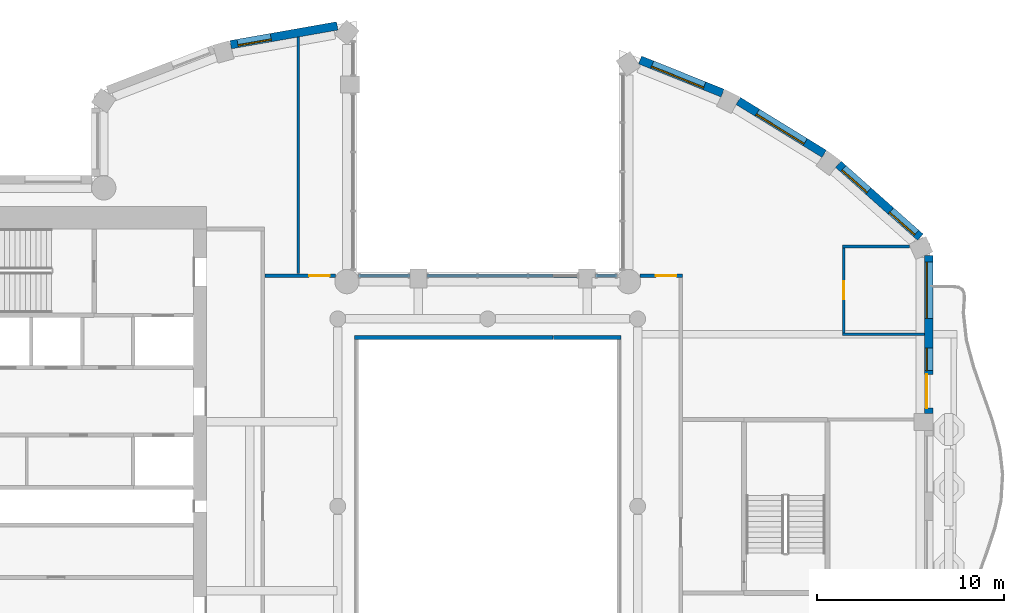
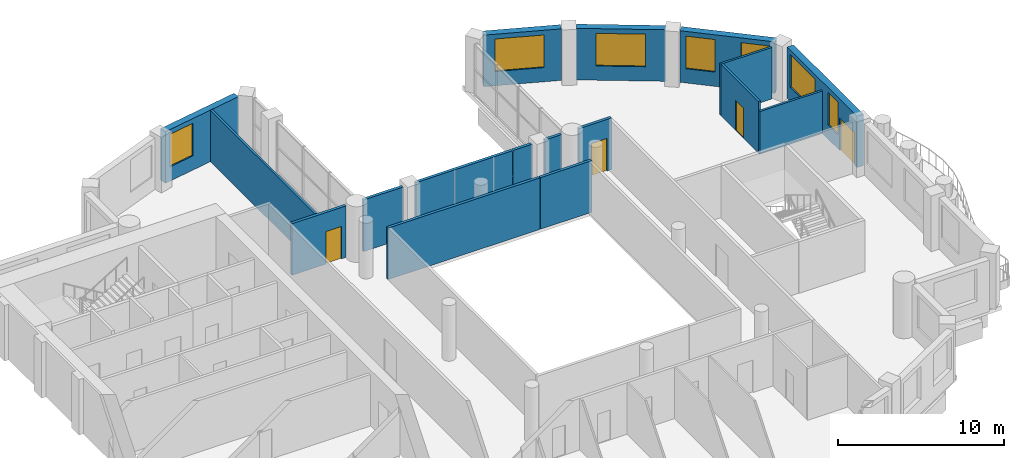
# One storey, part 7 of 14: 17 walls, 7 windows, 4 doors, 11 openings.
"""IFC4 building model written with IfcOpenShell, lengths in metres."""

from ifc_helpers import new_model, si_unit, direction, frame, frame_2d, origin, place, context, subcontext, project, spatial, rectangle, extrude, material, layer, layer_set, type_object, element, fill, save


model = new_model("IFC4")

# Units and contexts
model_context = context("Model", 3, precision=1e-05, world=origin(), true_north=direction((0.0, 1.0)))
body_context = subcontext(model_context, "Body", "Model", "MODEL_VIEW")
ifc_project = project(units=[si_unit("LENGTHUNIT", "METRE"), si_unit("AREAUNIT", "SQUARE_METRE"), si_unit("VOLUMEUNIT", "CUBIC_METRE"), si_unit("PLANEANGLEUNIT", "RADIAN"), si_unit("MASSUNIT", "GRAM", prefix="KILO")], contexts=[model_context])

# Site, building, storey
site_placement = place(None, origin())
site = spatial("IfcSite", under=ifc_project, at=site_placement, CompositionType="ELEMENT")
building_placement = place(site_placement, origin())
building = spatial("IfcBuilding", under=site, at=building_placement, Name="Cypress Arch Tower", CompositionType="ELEMENT")
storey_placement = place(building_placement, frame((0.0, 0.0, 304.89990234375)))
storey = spatial("IfcBuildingStorey", under=building, at=storey_placement, Name="L69", CompositionType="ELEMENT", Elevation=304.89990234375)

# Wall, opening, window
ifc_material_1 = material(Name="Brick (red buff blend)", Category="masonry")
ifc_layer_1 = layer(ifc_material_1, 0.449951171875)
ifc_layer_set_1 = layer_set([ifc_layer_1], Name="Brick pier and spandrel wall BW450")
wall_type_1 = type_object("IfcWallType", Name="Brick pier and spandrel wall BW450", PredefinedType="SOLIDWALL", material=ifc_layer_set_1)
wall_1_placement = place(storey_placement, frame((-7.028564453125, 25.63232421875, 0.0), z_axis=(0.0, 0.0, 1.0), x_axis=(-0.984797606634, -0.173705710808, 0.0)))
wall_1 = element("IfcWall", 1, at=wall_1_placement, inside=storey, type_object=wall_type_1, Name="Brick wall L69 C03.0", PredefinedType="SOLIDWALL", context=body_context, shape_type="SweptSolid", body=[
    extrude(rectangle(XDim=5.772216796875, YDim=0.449951171875, at=frame_2d((2.88623046875, 0.0))), origin(), (0.0, 0.0, 1.0), 3.800048828125),
])
opening_1_placement = place(wall_1_placement, frame((3.59326171875, 0.0, 1.050048828125)))
opening_1 = element("IfcOpeningElement", 2, at=opening_1_placement, cuts=wall_1, Name="Opening W180O", PredefinedType="OPENING", context=body_context, shape_type="SweptSolid", body=[
    extrude(rectangle(XDim=1.800048828125, YDim=2.39990234375, at=frame_2d((0.89990234375, 1.199951171875))), frame((0.0, 0.23486328125, 0.0), z_axis=(0.0, -1.0, 0.0), x_axis=(1.0, 0.0, 0.0)), (0.0, 0.0, 1.0), 0.469970703125),
])
ifc_material_2 = material(Name="Anodised aluminium, bronze finish, clear low-emissivity double glazing", Category="aluminium")
window_type_1 = type_object("IfcWindowType", Name="Window Office 1800x2400", PartitioningType="SINGLE_PANEL", PredefinedType="WINDOW", material=ifc_material_2)
window_1_placement = place(opening_1_placement, origin())
window_1 = element("IfcWindow", 3, at=window_1_placement, inside=storey, type_object=window_type_1, Name="Window L69 C03.0.2", OverallHeight=2.39990234375, OverallWidth=1.800048828125, PartitioningType="SINGLE_PANEL", PredefinedType="WINDOW", context=body_context, shape_type="SweptSolid", body=[
    extrude(rectangle(XDim=1.800048828125, YDim=2.39990234375, at=frame_2d((0.89990234375, 1.199951171875))), frame((0.0, 0.135009765625, 0.0), z_axis=(0.0, -1.0, 0.0), x_axis=(1.0, 0.0, 0.0)), (0.0, 0.0, 1.0), 0.06005859375),
])
fill(opening_1, window_1)

# Wall, openings, door, windows
wall_2_placement = place(storey_placement, frame((24.52490234375, 4.949951171875, 0.0), z_axis=(0.0, 0.0, 1.0), x_axis=(0.0, 1.0, 0.0)))
wall_2 = element("IfcWall", 4, at=wall_2_placement, inside=storey, type_object=wall_type_1, Name="Brick wall L69 C17.2", PredefinedType="SOLIDWALL", context=body_context, shape_type="SweptSolid", body=[
    extrude(rectangle(XDim=8.421875, YDim=0.449951171875, at=frame_2d((4.2109375, 0.0))), origin(), (0.0, 0.0, 1.0), 3.800048828125),
])
opening_2_placement = place(wall_2_placement, frame((0.291259765625, 0.0, 0.0)))
opening_2 = element("IfcOpeningElement", 5, at=opening_2_placement, cuts=wall_2, Name="Opening D-L69-C17.2.1", PredefinedType="OPENING", context=body_context, shape_type="SweptSolid", body=[
    extrude(rectangle(XDim=1.800048828125, YDim=2.39990234375, at=frame_2d((0.89990234375, 1.199951171875))), frame((0.0, 0.23486328125, 0.0), z_axis=(0.0, -1.0, 0.0), x_axis=(1.0, 0.0, 0.0)), (0.0, 0.0, 1.0), 0.469970703125),
])
opening_3_placement = place(wall_2_placement, frame((2.291259765625, 0.0, 1.050048828125)))
opening_3 = element("IfcOpeningElement", 6, at=opening_3_placement, cuts=wall_2, Name="Opening W120OD", PredefinedType="OPENING", context=body_context, shape_type="SweptSolid", body=[
    extrude(rectangle(XDim=1.199951171875, YDim=2.39990234375, at=frame_2d((0.60009765625, 1.199951171875))), frame((0.0, 0.23486328125, 0.0), z_axis=(0.0, -1.0, 0.0), x_axis=(1.0, 0.0, 0.0)), (0.0, 0.0, 1.0), 0.469970703125),
])
opening_4_placement = place(wall_2_placement, frame((5.073974609375, 0.0, 1.050048828125)))
opening_4 = element("IfcOpeningElement", 7, at=opening_4_placement, cuts=wall_2, Name="Opening W300OD", PredefinedType="OPENING", context=body_context, shape_type="SweptSolid", body=[
    extrude(rectangle(XDim=3.0, YDim=2.39990234375, at=frame_2d((1.5, 1.199951171875))), frame((0.0, 0.23486328125, 0.0), z_axis=(0.0, -1.0, 0.0), x_axis=(1.0, 0.0, 0.0)), (0.0, 0.0, 1.0), 0.469970703125),
])
ifc_material_3 = material(Name="Anodised aluminium, bronze finish, laminated low-emissivity double glazing, large-missile impact rated", Category="aluminium")
door_type_1 = type_object("IfcDoorType", Name="Balcony sliding door 1800x2400", OperationType="SLIDING_TO_LEFT", PredefinedType="DOOR", material=ifc_material_3)
door_1_placement = place(opening_2_placement, origin())
door_1 = element("IfcDoor", 8, at=door_1_placement, inside=storey, type_object=door_type_1, Name="Balcony door L69 C17.2.1", OperationType="SLIDING_TO_LEFT", OverallHeight=2.39990234375, OverallWidth=1.800048828125, PredefinedType="DOOR", context=body_context, shape_type="SweptSolid", body=[
    extrude(rectangle(XDim=1.800048828125, YDim=2.39990234375, at=frame_2d((0.89990234375, 1.199951171875))), frame((0.0, 0.1298828125, 0.0), z_axis=(0.0, -1.0, 0.0), x_axis=(1.0, 0.0, 0.0)), (0.0, 0.0, 1.0), 0.050048828125),
])
fill(opening_2, door_1)
ifc_material_4 = material(Name="Anodised aluminium, bronze finish, laminated low-emissivity double glazing, large-missile impact rated", Category="aluminium")
window_type_2 = type_object("IfcWindowType", Name="Window Office 1200x2400 debris-rated", PartitioningType="SINGLE_PANEL", PredefinedType="WINDOW", material=ifc_material_4)
window_2_placement = place(opening_3_placement, origin())
window_2 = element("IfcWindow", 9, at=window_2_placement, inside=storey, type_object=window_type_2, Name="Window L69 C17.2.1", OverallHeight=2.39990234375, OverallWidth=1.199951171875, PartitioningType="SINGLE_PANEL", PredefinedType="WINDOW", context=body_context, shape_type="SweptSolid", body=[
    extrude(rectangle(XDim=1.199951171875, YDim=2.39990234375, at=frame_2d((0.60009765625, 1.199951171875))), frame((0.0, 0.135009765625, 0.0), z_axis=(0.0, -1.0, 0.0), x_axis=(1.0, 0.0, 0.0)), (0.0, 0.0, 1.0), 0.06005859375),
])
fill(opening_3, window_2)
ifc_material_5 = material(Name="Anodised aluminium, bronze finish, laminated low-emissivity double glazing, large-missile impact rated", Category="aluminium")
window_type_3 = type_object("IfcWindowType", Name="Window Office 3000x2400 debris-rated", PartitioningType="SINGLE_PANEL", PredefinedType="WINDOW", material=ifc_material_5)
window_3_placement = place(opening_4_placement, origin())
window_3 = element("IfcWindow", 10, at=window_3_placement, inside=storey, type_object=window_type_3, Name="Window L69 C17.2.2", OverallHeight=2.39990234375, OverallWidth=3.0, PartitioningType="SINGLE_PANEL", PredefinedType="WINDOW", context=body_context, shape_type="SweptSolid", body=[
    extrude(rectangle(XDim=3.0, YDim=2.39990234375, at=frame_2d((1.5, 1.199951171875))), frame((0.0, 0.135009765625, 0.0), z_axis=(0.0, -1.0, 0.0), x_axis=(1.0, 0.0, 0.0)), (0.0, 0.0, 1.0), 0.06005859375),
])
fill(opening_4, window_3)

# Wall, openings, windows
wall_3_placement = place(storey_placement, frame((24.08056640625, 14.361083984375, 0.0), z_axis=(0.0, 0.0, 1.0), x_axis=(-0.747570482973, 0.664182484704, 0.0)))
wall_3 = element("IfcWall", 11, at=wall_3_placement, inside=storey, type_object=wall_type_1, Name="Brick wall L69 C18.0", PredefinedType="SOLIDWALL", context=body_context, shape_type="SweptSolid", body=[
    extrude(rectangle(XDim=5.849609375, YDim=0.449951171875, at=frame_2d((2.9248046875, 0.0))), origin(), (0.0, 0.0, 1.0), 3.800048828125),
])
opening_5_placement = place(wall_3_placement, frame((0.305419921875, 0.0, 1.050048828125)))
opening_5 = element("IfcOpeningElement", 12, at=opening_5_placement, cuts=wall_3, Name="Opening W180O", PredefinedType="OPENING", context=body_context, shape_type="SweptSolid", body=[
    extrude(rectangle(XDim=1.800048828125, YDim=2.39990234375, at=frame_2d((0.89990234375, 1.199951171875))), frame((0.0, 0.23486328125, 0.0), z_axis=(0.0, -1.0, 0.0), x_axis=(1.0, 0.0, 0.0)), (0.0, 0.0, 1.0), 0.469970703125),
])
opening_6_placement = place(wall_3_placement, frame((3.702880859375, 0.0, 1.050048828125)))
opening_6 = element("IfcOpeningElement", 13, at=opening_6_placement, cuts=wall_3, Name="Opening W180O", PredefinedType="OPENING", context=body_context, shape_type="SweptSolid", body=[
    extrude(rectangle(XDim=1.800048828125, YDim=2.39990234375, at=frame_2d((0.89990234375, 1.199951171875))), frame((0.0, 0.23486328125, 0.0), z_axis=(0.0, -1.0, 0.0), x_axis=(1.0, 0.0, 0.0)), (0.0, 0.0, 1.0), 0.469970703125),
])
window_4_placement = place(opening_5_placement, origin())
window_4 = element("IfcWindow", 14, at=window_4_placement, inside=storey, type_object=window_type_1, Name="Window L69 C18.0.1", OverallHeight=2.39990234375, OverallWidth=1.800048828125, PartitioningType="SINGLE_PANEL", PredefinedType="WINDOW", context=body_context, shape_type="SweptSolid", body=[
    extrude(rectangle(XDim=1.800048828125, YDim=2.39990234375, at=frame_2d((0.89990234375, 1.199951171875))), frame((0.0, 0.135009765625, 0.0), z_axis=(0.0, -1.0, 0.0), x_axis=(1.0, 0.0, 0.0)), (0.0, 0.0, 1.0), 0.06005859375),
])
fill(opening_5, window_4)
window_5_placement = place(opening_6_placement, origin())
window_5 = element("IfcWindow", 15, at=window_5_placement, inside=storey, type_object=window_type_1, Name="Window L69 C18.0.2", OverallHeight=2.39990234375, OverallWidth=1.800048828125, PartitioningType="SINGLE_PANEL", PredefinedType="WINDOW", context=body_context, shape_type="SweptSolid", body=[
    extrude(rectangle(XDim=1.800048828125, YDim=2.39990234375, at=frame_2d((0.89990234375, 1.199951171875))), frame((0.0, 0.135009765625, 0.0), z_axis=(0.0, -1.0, 0.0), x_axis=(1.0, 0.0, 0.0)), (0.0, 0.0, 1.0), 0.06005859375),
])
fill(opening_6, window_5)

# Wall, opening, window
wall_4_placement = place(storey_placement, frame((18.953369140625, 18.806396484375, 0.0), z_axis=(0.0, 0.0, 1.0), x_axis=(-0.851860664503, 0.523768468193, 0.0)))
wall_4 = element("IfcWall", 16, at=wall_4_placement, inside=storey, type_object=wall_type_1, Name="Brick wall L69 C19.0", PredefinedType="SOLIDWALL", context=body_context, shape_type="SweptSolid", body=[
    extrude(rectangle(XDim=5.3837890625, YDim=0.449951171875, at=frame_2d((2.69189453125, 0.0))), origin(), (0.0, 0.0, 1.0), 3.800048828125),
])
opening_7_placement = place(wall_4_placement, frame((1.19189453125, 0.0, 1.050048828125)))
opening_7 = element("IfcOpeningElement", 17, at=opening_7_placement, cuts=wall_4, Name="Opening W300O", PredefinedType="OPENING", context=body_context, shape_type="SweptSolid", body=[
    extrude(rectangle(XDim=3.0, YDim=2.39990234375, at=frame_2d((1.5, 1.199951171875))), frame((0.0, 0.23486328125, 0.0), z_axis=(0.0, -1.0, 0.0), x_axis=(1.0, 0.0, 0.0)), (0.0, 0.0, 1.0), 0.469970703125),
])
ifc_material_6 = material(Name="Anodised aluminium, bronze finish, clear low-emissivity double glazing", Category="aluminium")
window_type_4 = type_object("IfcWindowType", Name="Window Office 3000x2400", PartitioningType="SINGLE_PANEL", PredefinedType="WINDOW", material=ifc_material_6)
window_6_placement = place(opening_7_placement, origin())
window_6 = element("IfcWindow", 18, at=window_6_placement, inside=storey, type_object=window_type_4, Name="Window L69 C19.0.1", OverallHeight=2.39990234375, OverallWidth=3.0, PartitioningType="SINGLE_PANEL", PredefinedType="WINDOW", context=body_context, shape_type="SweptSolid", body=[
    extrude(rectangle(XDim=3.0, YDim=2.39990234375, at=frame_2d((1.5, 1.199951171875))), frame((0.0, 0.135009765625, 0.0), z_axis=(0.0, -1.0, 0.0), x_axis=(1.0, 0.0, 0.0)), (0.0, 0.0, 1.0), 0.06005859375),
])
fill(opening_7, window_6)

wall_5_placement = place(storey_placement, frame((13.529296875, 22.04833984375, 0.0), z_axis=(0.0, 0.0, 1.0), x_axis=(-0.927957332619, 0.372686448424, 0.0)))
wall_5 = element("IfcWall", 19, at=wall_5_placement, inside=storey, type_object=wall_type_1, Name="Brick wall L69 C20.0", PredefinedType="SOLIDWALL", context=body_context, shape_type="SweptSolid", body=[
    extrude(rectangle(XDim=4.741455078125, YDim=0.449951171875, at=frame_2d((2.37060546875, 0.0))), origin(), (0.0, 0.0, 1.0), 3.800048828125),
])
opening_8_placement = place(wall_5_placement, frame((1.046630859375, 0.0, 1.050048828125)))
opening_8 = element("IfcOpeningElement", 20, at=opening_8_placement, cuts=wall_5, Name="Opening W300O", PredefinedType="OPENING", context=body_context, shape_type="SweptSolid", body=[
    extrude(rectangle(XDim=3.0, YDim=2.39990234375, at=frame_2d((1.5, 1.199951171875))), frame((0.0, 0.23486328125, 0.0), z_axis=(0.0, -1.0, 0.0), x_axis=(1.0, 0.0, 0.0)), (0.0, 0.0, 1.0), 0.469970703125),
])
window_7_placement = place(opening_8_placement, origin())
window_7 = element("IfcWindow", 21, at=window_7_placement, inside=storey, type_object=window_type_4, Name="Window L69 C20.0.1", OverallHeight=2.39990234375, OverallWidth=3.0, PartitioningType="SINGLE_PANEL", PredefinedType="WINDOW", context=body_context, shape_type="SweptSolid", body=[
    extrude(rectangle(XDim=3.0, YDim=2.39990234375, at=frame_2d((1.5, 1.199951171875))), frame((0.0, 0.135009765625, 0.0), z_axis=(0.0, -1.0, 0.0), x_axis=(1.0, 0.0, 0.0)), (0.0, 0.0, 1.0), 0.06005859375),
])
fill(opening_8, window_7)

# Wall, opening, door
ifc_material_7 = material(Name="Concrete blockwork, plastered, rated", Category="masonry")
ifc_layer_2 = layer(ifc_material_7, 0.199951171875)
ifc_layer_set_2 = layer_set([ifc_layer_2], Name="Corridor wall FW200")
wall_type_2 = type_object("IfcWallType", Name="Corridor wall FW200", PredefinedType="PARTITIONING", material=ifc_layer_set_2)
wall_6_placement = place(storey_placement, frame((-10.8798828125, 12.300048828125, 0.0), z_axis=(0.0, 0.0, 1.0), x_axis=(1.0, 0.0, 0.0)))
wall_6 = element("IfcWall", 22, at=wall_6_placement, inside=storey, type_object=wall_type_2, Name="Corridor wall", PredefinedType="PARTITIONING", context=body_context, shape_type="SweptSolid", body=[
    extrude(rectangle(XDim=3.76123046875, YDim=0.199951171875, at=frame_2d((1.880615234375, 0.0))), origin(), (0.0, 0.0, 1.0), 3.800048828125),
])
opening_9_placement = place(wall_6_placement, frame((2.35009765625, 0.0, 0.0)))
opening_9 = element("IfcOpeningElement", 23, at=opening_9_placement, cuts=wall_6, Name="Opening D01", PredefinedType="OPENING", context=body_context, shape_type="SweptSolid", body=[
    extrude(rectangle(XDim=1.10009765625, YDim=2.39990234375, at=frame_2d((0.550048828125, 1.199951171875))), frame((0.0, 0.10986328125, 0.0), z_axis=(0.0, -1.0, 0.0), x_axis=(1.0, 0.0, 0.0)), (0.0, 0.0, 1.0), 0.219970703125),
])
ifc_material_8 = material(Name="Timber flush door, fire resisting, self-closing", Category="wood")
door_type_2 = type_object("IfcDoorType", Name="Unit entrance door D01 1100x2400", OperationType="SINGLE_SWING_LEFT", PredefinedType="DOOR", material=ifc_material_8)
door_2_placement = place(opening_9_placement, origin())
door_2 = element("IfcDoor", 24, at=door_2_placement, inside=storey, type_object=door_type_2, Name="Unit entrance door", OperationType="SINGLE_SWING_LEFT", OverallHeight=2.39990234375, OverallWidth=1.10009765625, PredefinedType="DOOR", context=body_context, shape_type="SweptSolid", body=[
    extrude(rectangle(XDim=1.10009765625, YDim=2.39990234375, at=frame_2d((0.550048828125, 1.199951171875))), frame((0.0, 0.02490234375, 0.0), z_axis=(0.0, -1.0, 0.0), x_axis=(1.0, 0.0, 0.0)), (0.0, 0.0, 1.0), 0.050048828125),
])
fill(opening_9, door_2)

# Walls
wall_7_placement = place(storey_placement, frame((-5.905517578125, 12.300048828125, 0.0), z_axis=(0.0, 0.0, 1.0), x_axis=(1.0, 0.0, 0.0)))
element("IfcWall", 25, at=wall_7_placement, inside=storey, type_object=wall_type_2, Name="Corridor wall", PredefinedType="PARTITIONING", context=body_context, shape_type="SweptSolid", body=[
    extrude(rectangle(XDim=2.755615234375, YDim=0.199951171875, at=frame_2d((1.3779296875, 0.0))), origin(), (0.0, 0.0, 1.0), 3.800048828125),
])
wall_8_placement = place(storey_placement, frame((-2.25, 12.300048828125, 0.0), z_axis=(0.0, 0.0, 1.0), x_axis=(1.0, 0.0, 0.0)))
element("IfcWall", 26, at=wall_8_placement, inside=storey, type_object=wall_type_2, Name="Corridor wall", PredefinedType="PARTITIONING", context=body_context, shape_type="SweptSolid", body=[
    extrude(rectangle(XDim=6.72998046875, YDim=0.199951171875, at=frame_2d((3.364990234375, 0.0))), origin(), (0.0, 0.0, 1.0), 3.800048828125),
])
wall_9_placement = place(storey_placement, frame((-6.10009765625, 9.0, 0.0), z_axis=(0.0, 0.0, 1.0), x_axis=(1.0, 0.0, 0.0)))
element("IfcWall", 27, at=wall_9_placement, inside=storey, type_object=wall_type_2, Name="Corridor wall", PredefinedType="PARTITIONING", context=body_context, shape_type="SweptSolid", body=[
    extrude(rectangle(XDim=10.580078125, YDim=0.199951171875, at=frame_2d((5.2900390625, 0.0))), origin(), (0.0, 0.0, 1.0), 3.800048828125),
])
wall_10_placement = place(storey_placement, frame((4.52001953125, 9.0, 0.0), z_axis=(0.0, 0.0, 1.0), x_axis=(1.0, 0.0, 0.0)))
element("IfcWall", 28, at=wall_10_placement, inside=storey, type_object=wall_type_2, Name="Corridor wall", PredefinedType="PARTITIONING", context=body_context, shape_type="SweptSolid", body=[
    extrude(rectangle(XDim=3.580078125, YDim=0.199951171875, at=frame_2d((1.7900390625, 0.0))), origin(), (0.0, 0.0, 1.0), 3.800048828125),
])
wall_11_placement = place(storey_placement, frame((4.52001953125, 12.300048828125, 0.0), z_axis=(0.0, 0.0, 1.0), x_axis=(1.0, 0.0, 0.0)))
element("IfcWall", 29, at=wall_11_placement, inside=storey, type_object=wall_type_2, Name="Corridor wall", PredefinedType="PARTITIONING", context=body_context, shape_type="SweptSolid", body=[
    extrude(rectangle(XDim=1.330078125, YDim=0.199951171875, at=frame_2d((0.6650390625, 0.0))), origin(), (0.0, 0.0, 1.0), 3.800048828125),
])
wall_12_placement = place(storey_placement, frame((6.75, 12.300048828125, 0.0), z_axis=(0.0, 0.0, 1.0), x_axis=(1.0, 0.0, 0.0)))
element("IfcWall", 30, at=wall_12_placement, inside=storey, type_object=wall_type_2, Name="Corridor wall", PredefinedType="PARTITIONING", context=body_context, shape_type="SweptSolid", body=[
    extrude(rectangle(XDim=1.155517578125, YDim=0.199951171875, at=frame_2d((0.57763671875, 0.0))), origin(), (0.0, 0.0, 1.0), 3.800048828125),
])

# Wall, opening, door
wall_13_placement = place(storey_placement, frame((9.11865234375, 12.300048828125, 0.0), z_axis=(0.0, 0.0, 1.0), x_axis=(1.0, 0.0, 0.0)))
wall_13 = element("IfcWall", 31, at=wall_13_placement, inside=storey, type_object=wall_type_2, Name="Corridor wall", PredefinedType="PARTITIONING", context=body_context, shape_type="SweptSolid", body=[
    extrude(rectangle(XDim=2.28125, YDim=0.199951171875, at=frame_2d((1.140625, 0.0))), origin(), (0.0, 0.0, 1.0), 3.800048828125),
])
opening_10_placement = place(wall_13_placement, frame((0.85009765625, 0.0, 0.0)))
opening_10 = element("IfcOpeningElement", 32, at=opening_10_placement, cuts=wall_13, Name="Opening D01", PredefinedType="OPENING", context=body_context, shape_type="SweptSolid", body=[
    extrude(rectangle(XDim=1.10009765625, YDim=2.39990234375, at=frame_2d((0.550048828125, 1.199951171875))), frame((0.0, 0.10986328125, 0.0), z_axis=(0.0, -1.0, 0.0), x_axis=(1.0, 0.0, 0.0)), (0.0, 0.0, 1.0), 0.219970703125),
])
door_3_placement = place(opening_10_placement, origin())
door_3 = element("IfcDoor", 33, at=door_3_placement, inside=storey, type_object=door_type_2, Name="Unit entrance door", OperationType="SINGLE_SWING_LEFT", OverallHeight=2.39990234375, OverallWidth=1.10009765625, PredefinedType="DOOR", context=body_context, shape_type="SweptSolid", body=[
    extrude(rectangle(XDim=1.10009765625, YDim=2.39990234375, at=frame_2d((0.550048828125, 1.199951171875))), frame((0.0, 0.02490234375, 0.0), z_axis=(0.0, -1.0, 0.0), x_axis=(1.0, 0.0, 0.0)), (0.0, 0.0, 1.0), 0.050048828125),
])
fill(opening_10, door_3)

# Wall
ifc_material_9 = material(Name="Blockwork, plastered both sides", Category="masonry")
ifc_layer_3 = layer(ifc_material_9, 0.14990234375)
ifc_layer_set_3 = layer_set([ifc_layer_3], Name="Partition PW150")
wall_type_3 = type_object("IfcWallType", Name="Partition PW150", PredefinedType="PARTITIONING", material=ifc_layer_set_3)
wall_14_placement = place(storey_placement, frame((-9.10791015625, 12.419921875, 0.0), z_axis=(0.0, 0.0, 1.0), x_axis=(0.0, 1.0, 0.0)))
element("IfcWall", 34, at=wall_14_placement, inside=storey, type_object=wall_type_3, Name="Partition", PredefinedType="PARTITIONING", context=body_context, shape_type="SweptSolid", body=[
    extrude(rectangle(XDim=12.6171875, YDim=0.14990234375, at=frame_2d((6.30859375, 0.0))), origin(), (0.0, 0.0, 1.0), 3.800048828125),
])

# Wall, opening, door
wall_15_placement = place(storey_placement, frame((20.0, 9.258056640625, 0.0), z_axis=(0.0, 0.0, 1.0), x_axis=(0.0, 1.0, 0.0)))
wall_15 = element("IfcWall", 35, at=wall_15_placement, inside=storey, type_object=wall_type_3, Name="Partition", PredefinedType="PARTITIONING", context=body_context, shape_type="SweptSolid", body=[
    extrude(rectangle(XDim=4.531982421875, YDim=0.14990234375, at=frame_2d((2.26611328125, 0.0))), origin(), (0.0, 0.0, 1.0), 3.800048828125),
])
opening_11_placement = place(wall_15_placement, frame((1.800048828125, 0.0, 0.0)))
opening_11 = element("IfcOpeningElement", 36, at=opening_11_placement, cuts=wall_15, Name="Opening D12", PredefinedType="OPENING", context=body_context, shape_type="SweptSolid", body=[
    extrude(rectangle(XDim=0.949951171875, YDim=2.199951171875, at=frame_2d((0.47509765625, 1.10009765625))), frame((0.0, 0.0849609375, 0.0), z_axis=(0.0, -1.0, 0.0), x_axis=(1.0, 0.0, 0.0)), (0.0, 0.0, 1.0), 0.169921875),
])
ifc_material_10 = material(Name="Timber flush door", Category="wood")
door_type_3 = type_object("IfcDoorType", Name="Room door D12 950x2200", OperationType="SINGLE_SWING_LEFT", PredefinedType="DOOR", material=ifc_material_10)
door_4_placement = place(opening_11_placement, origin())
door_4 = element("IfcDoor", 37, at=door_4_placement, inside=storey, type_object=door_type_3, Name="Room door", OperationType="SINGLE_SWING_RIGHT", OverallHeight=2.199951171875, OverallWidth=0.949951171875, PredefinedType="DOOR", context=body_context, shape_type="SweptSolid", body=[
    extrude(rectangle(XDim=0.949951171875, YDim=2.199951171875, at=frame_2d((0.47509765625, 1.10009765625))), frame((0.0, 0.02490234375, 0.0), z_axis=(0.0, -1.0, 0.0), x_axis=(1.0, 0.0, 0.0)), (0.0, 0.0, 1.0), 0.050048828125),
])
fill(opening_11, door_4)

# Walls
wall_16_placement = place(storey_placement, frame((19.925048828125, 9.18310546875, 0.0), z_axis=(0.0, 0.0, 1.0), x_axis=(1.0, 0.0, 0.0)))
element("IfcWall", 38, at=wall_16_placement, inside=storey, type_object=wall_type_3, Name="Partition", PredefinedType="PARTITIONING", context=body_context, shape_type="SweptSolid", body=[
    extrude(rectangle(XDim=4.375, YDim=0.14990234375, at=frame_2d((2.1875, 0.0))), origin(), (0.0, 0.0, 1.0), 3.150146484375),
])
wall_17_placement = place(storey_placement, frame((19.925048828125, 13.864990234375, 0.0), z_axis=(0.0, 0.0, 1.0), x_axis=(1.0, 0.0, 0.0)))
element("IfcWall", 39, at=wall_17_placement, inside=storey, type_object=wall_type_3, Name="Partition", PredefinedType="PARTITIONING", context=body_context, shape_type="SweptSolid", body=[
    extrude(rectangle(XDim=3.568115234375, YDim=0.14990234375, at=frame_2d((1.7841796875, 0.0))), origin(), (0.0, 0.0, 1.0), 3.800048828125),
])

save(model, "model.ifc")
